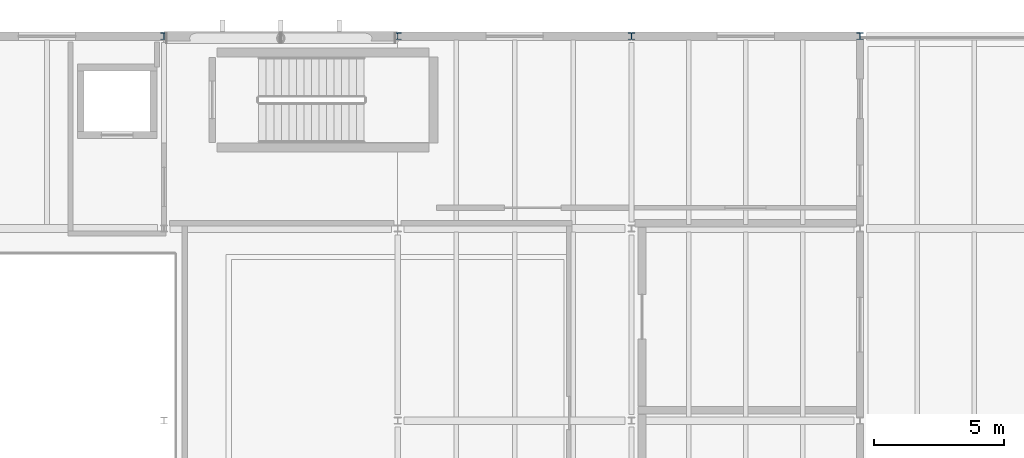
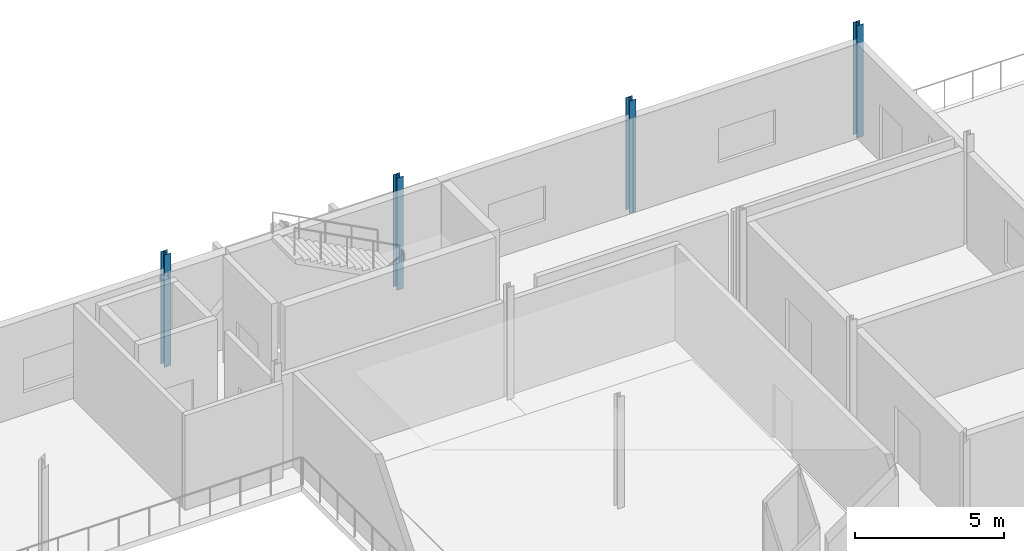
# One storey, part 5 of 37: 4 columns.
"""IFC4 building model written with IfcOpenShell, lengths in metres."""

from ifc_helpers import new_model, si_unit, direction, frame, origin, origin_2d, place, context, subcontext, project, spatial, i_section, extrude, material, material_profile, profile_set, type_object, element, save


model = new_model("IFC4")

# Units and contexts
model_context = context("Model", 3, precision=1e-05, world=origin(), true_north=direction((0.0, 1.0)))
body_context = subcontext(model_context, "Body", "Model", "MODEL_VIEW")
ifc_project = project(units=[si_unit("LENGTHUNIT", "METRE"), si_unit("AREAUNIT", "SQUARE_METRE"), si_unit("VOLUMEUNIT", "CUBIC_METRE"), si_unit("PLANEANGLEUNIT", "RADIAN"), si_unit("MASSUNIT", "GRAM", prefix="KILO")], contexts=[model_context])

# Site, building, storey
site_placement = place(None, origin())
site = spatial("IfcSite", under=ifc_project, at=site_placement, CompositionType="ELEMENT")
building_placement = place(site_placement, origin())
building = spatial("IfcBuilding", under=site, at=building_placement, Name="Shengluoqiao Park Theatre", CompositionType="ELEMENT")
storey_placement = place(building_placement, frame((0.0, 0.0, 19.199951171875)))
storey = spatial("IfcBuildingStorey", under=building, at=storey_placement, Name="L04", CompositionType="ELEMENT", Elevation=19.199951171875)

# Columns
ifc_material = material(Name="Steel Q355", Category="steel")
ifc_material_profile = material_profile(ifc_material, i_section(OverallWidth=0.2548828125, OverallDepth=0.25, WebThickness=0.013916015625, FlangeThickness=0.013916015625, FilletRadius=0.01611328125, at=origin_2d()), Name="HW 250x255x14x14")
ifc_profile_set = profile_set([ifc_material_profile], Name="Steel Q355")
column_type = type_object("IfcColumnType", Name="STR-COL-C-HW255", PredefinedType="COLUMN", material=ifc_profile_set)
for number, where, z_axis, x_axis, name in (
    (1, (130.39990234375, 114.0, 0.0), (0.0, 0.0, 1.0), (1.0, 0.0, 0.0), "L04 Column 0668"),
    (2, (139.39990234375, 114.0, 0.0), (0.0, 0.0, 1.0), (1.0, 0.0, 0.0), "L04 Column 0713"),
    (3, (148.39990234375, 114.0, 0.0), (0.0, 0.0, 1.0), (1.0, 0.0, 0.0), "L04 Column 0770"),
    (4, (157.199951171875, 114.0, 0.0), (0.0, 0.0, 1.0), (1.0, 0.0, 0.0), "L04 Column 0831"),
):
    element("IfcColumn", number, at=place(storey_placement, frame(where, z_axis=z_axis, x_axis=x_axis)), inside=storey, type_object=column_type, Name=name, PredefinedType="COLUMN", context=body_context, shape_type="SweptSolid", body=[
        extrude(i_section(OverallWidth=0.2548828125, OverallDepth=0.25, WebThickness=0.013916015625, FlangeThickness=0.013916015625, FilletRadius=0.01611328125, at=origin_2d()), origin(), (0.0, 0.0, 1.0), 4.60009765625),
    ])

save(model, "model.ifc")
